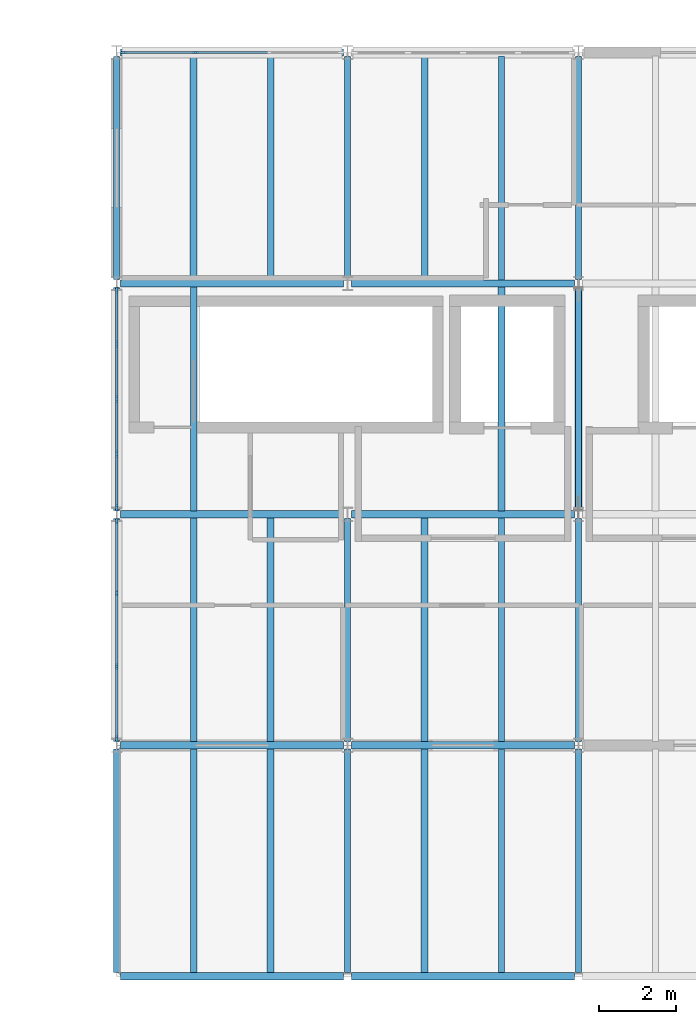
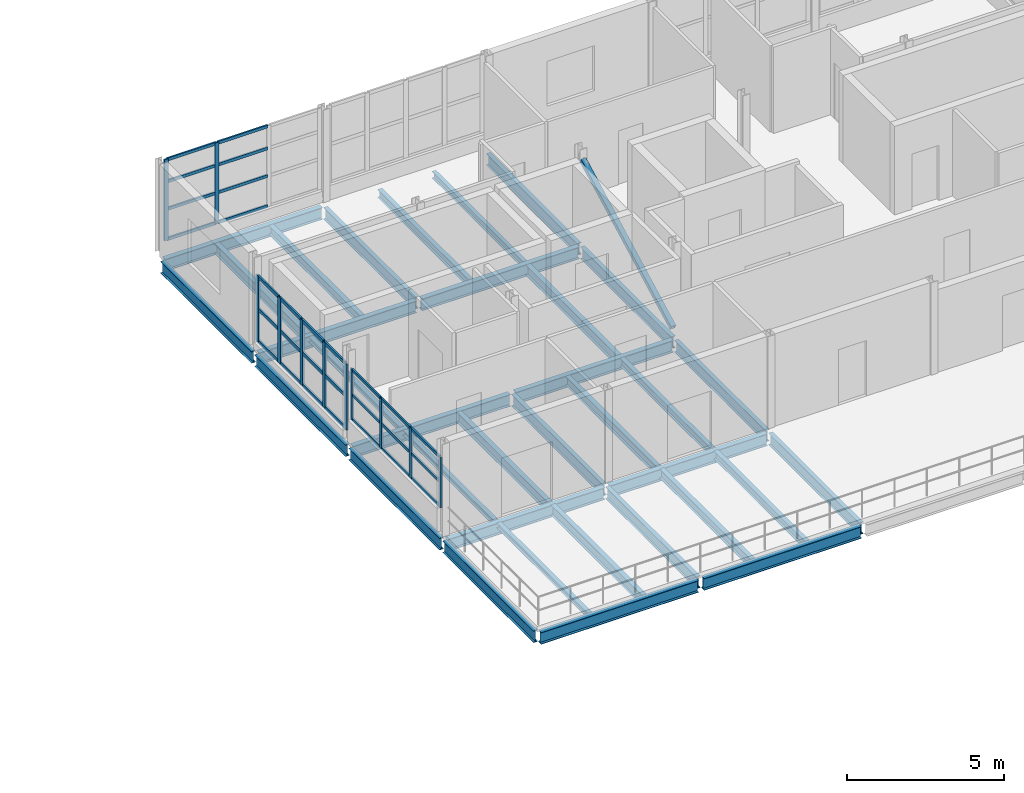
# One storey, part 6 of 20: 41 members, 34 beams, 3 elements without a shape of their own.
"""IFC4 building model written with IfcOpenShell, lengths in metres."""

from ifc_helpers import new_model, si_unit, direction, frame, origin, origin_2d, place, context, subcontext, project, spatial, rectangle, hollow_rectangle, i_section, extrude, material, material_profile, profile_set, type_object, element, aggregate, save


model = new_model("IFC4")

# Units and contexts
model_context = context("Model", 3, precision=1e-05, world=origin(), true_north=direction((0.0, 1.0)))
body_context = subcontext(model_context, "Body", "Model", "MODEL_VIEW")
ifc_project = project(units=[si_unit("LENGTHUNIT", "METRE"), si_unit("AREAUNIT", "SQUARE_METRE"), si_unit("VOLUMEUNIT", "CUBIC_METRE"), si_unit("PLANEANGLEUNIT", "RADIAN"), si_unit("MASSUNIT", "GRAM", prefix="KILO")], contexts=[model_context])

# Site, building, storey
site_placement = place(None, origin())
site = spatial("IfcSite", under=ifc_project, at=site_placement, CompositionType="ELEMENT")
building_placement = place(site_placement, origin())
building = spatial("IfcBuilding", under=site, at=building_placement, Name="Siltcreek Boulevard Central Fire Station", CompositionType="ELEMENT")
storey_placement = place(building_placement, frame((0.0, 0.0, 18.0)))
storey = spatial("IfcBuildingStorey", under=building, at=storey_placement, Name="L05", CompositionType="ELEMENT", Elevation=18.0)

# Beams
ifc_material_1 = material(Name="Structural steel ASTM A992 Gr50", Category="steel")
ifc_material_profile_1 = material_profile(ifc_material_1, i_section(OverallWidth=0.154052734375, OverallDepth=0.458984375, WebThickness=0.009033203125, FlangeThickness=0.015380859375, at=origin_2d()), Name="W460X68")
ifc_profile_set_1 = profile_set([ifc_material_profile_1], Name="Structural steel ASTM A992 Gr50")
beam_type_1 = type_object("IfcBeamType", Name="BM_W460X68", PredefinedType="BEAM", material=ifc_profile_set_1)
for number, where, z_axis, x_axis, name in (
    (1, (124.199951171875, 88.300048828125, -0.439453125), (0.0, 1.0, 0.0), (-1.0, 0.0, 0.0), "L05 primary steel girder GY-0641"),
    (2, (124.199951171875, 94.300048828125, -0.469482421875), (0.0, 1.0, 0.0), (-1.0, 0.0, 0.0), "L05 primary steel girder GY-0642"),
    (3, (124.199951171875, 100.300048828125, -0.469482421875), (0.0, 1.0, 0.0), (-1.0, 0.0, 0.0), "L05 primary steel girder GY-0643"),
    (4, (124.199951171875, 106.300048828125, -0.469482421875), (0.0, 1.0, 0.0), (-1.0, 0.0, 0.0), "L05 primary steel girder GY-0644"),
    (5, (130.199951171875, 88.300048828125, -0.439453125), (0.0, 1.0, 0.0), (-1.0, 0.0, 0.0), "L05 primary steel girder GY-0645"),
    (6, (130.199951171875, 94.300048828125, -0.469482421875), (0.0, 1.0, 0.0), (-1.0, 0.0, 0.0), "L05 primary steel girder GY-0646"),
    (7, (130.199951171875, 106.300048828125, -0.469482421875), (0.0, 1.0, 0.0), (-1.0, 0.0, 0.0), "L05 primary steel girder GY-0647"),
    (8, (136.199951171875, 88.300048828125, -0.439453125), (0.0, 1.0, 0.0), (-1.0, 0.0, 0.0), "L05 primary steel girder GY-0648"),
    (9, (136.199951171875, 94.300048828125, -0.469482421875), (0.0, 1.0, 0.0), (-1.0, 0.0, 0.0), "L05 primary steel girder GY-0649"),
    (10, (136.199951171875, 100.300048828125, -0.469482421875), (0.0, 1.0, 0.0), (-1.0, 0.0, 0.0), "L05 primary steel girder GY-0650"),
    (11, (136.199951171875, 106.300048828125, -0.469482421875), (0.0, 1.0, 0.0), (-1.0, 0.0, 0.0), "L05 primary steel girder GY-0651"),
):
    element("IfcBeam", number, at=place(storey_placement, frame(where, z_axis=z_axis, x_axis=x_axis)), inside=storey, type_object=beam_type_1, Name=name, PredefinedType="BEAM", context=body_context, shape_type="SweptSolid", body=[
        extrude(i_section(OverallWidth=0.154052734375, OverallDepth=0.458984375, WebThickness=0.009033203125, FlangeThickness=0.015380859375, at=origin_2d()), origin(), (0.0, 0.0, 1.0), 5.800048828125),
    ])
ifc_material_profile_2 = material_profile(ifc_material_1, i_section(OverallWidth=0.19189453125, OverallDepth=0.462890625, WebThickness=0.010498046875, FlangeThickness=0.017578125, at=origin_2d()), Name="W460X89")
ifc_profile_set_2 = profile_set([ifc_material_profile_2], Name="Structural steel ASTM A992 Gr50")
beam_type_2 = type_object("IfcBeamType", Name="BM_W460X89", PredefinedType="BEAM", material=ifc_profile_set_2)
for number, where, z_axis, x_axis, name in (
    (12, (124.300048828125, 88.199951171875, -0.44140625), (1.0, 0.0, 0.0), (0.0, 1.0, 0.0), "L05 primary steel girder GX-0616"),
    (13, (130.300048828125, 88.199951171875, -0.44140625), (1.0, 0.0, 0.0), (0.0, 1.0, 0.0), "L05 primary steel girder GX-0617"),
    (14, (124.300048828125, 94.199951171875, -0.471435546875), (1.0, 0.0, 0.0), (0.0, 1.0, 0.0), "L05 primary steel girder GX-0621"),
    (15, (130.300048828125, 94.199951171875, -0.471435546875), (1.0, 0.0, 0.0), (0.0, 1.0, 0.0), "L05 primary steel girder GX-0622"),
    (16, (124.300048828125, 100.199951171875, -0.471435546875), (1.0, 0.0, 0.0), (0.0, 1.0, 0.0), "L05 primary steel girder GX-0626"),
    (17, (130.300048828125, 100.199951171875, -0.471435546875), (1.0, 0.0, 0.0), (0.0, 1.0, 0.0), "L05 primary steel girder GX-0627"),
    (18, (124.300048828125, 106.199951171875, -0.471435546875), (1.0, 0.0, 0.0), (0.0, 1.0, 0.0), "L05 primary steel girder GX-0631"),
    (19, (130.300048828125, 106.199951171875, -0.471435546875), (1.0, 0.0, 0.0), (0.0, 1.0, 0.0), "L05 primary steel girder GX-0632"),
    (20, (124.300048828125, 112.199951171875, -0.471435546875), (1.0, 0.0, 0.0), (0.0, 1.0, 0.0), "L05 primary steel girder GX-0636"),
):
    element("IfcBeam", number, at=place(storey_placement, frame(where, z_axis=z_axis, x_axis=x_axis)), inside=storey, type_object=beam_type_2, Name=name, PredefinedType="BEAM", context=body_context, shape_type="SweptSolid", body=[
        extrude(i_section(OverallWidth=0.19189453125, OverallDepth=0.462890625, WebThickness=0.010498046875, FlangeThickness=0.017578125, at=origin_2d()), origin(), (0.0, 0.0, 1.0), 5.800048828125),
    ])

# Member
ifc_material_2 = material(Name="Structural steel ASTM A500 GrC", Category="steel")
ifc_material_profile_3 = material_profile(ifc_material_2, hollow_rectangle(XDim=0.179931640625, YDim=0.179931640625, WallThickness=0.008056640625, at=origin_2d()), Name="HSS180X180X8.0")
ifc_profile_set_3 = profile_set([ifc_material_profile_3], Name="Structural steel ASTM A500 GrC")
member_type_1 = type_object("IfcMemberType", Name="BR_HSS180", PredefinedType="BRACE", material=ifc_profile_set_3)
member_1_placement = place(storey_placement, frame((136.199951171875, 100.320068359375, 0.10009765625), z_axis=(0.0, 0.883763313865, 0.467934188819), x_axis=(-1.0, 0.0, 0.0)))
element("IfcMember", 21, at=member_1_placement, inside=storey, type_object=member_type_1, Name="L05 buckling-restrained brace BR-036", PredefinedType="BRACE", context=body_context, shape_type="SweptSolid", body=[
    extrude(hollow_rectangle(XDim=0.179931640625, YDim=0.179931640625, WallThickness=0.008056640625, at=origin_2d()), origin(), (0.0, 0.0, 1.0), 6.517578125),
])

# Curtain wall, members
ifc_material_3 = material(Name="Anodized aluminum and low-E insulated glazing", Category="aluminium")
curtain_wall_type_1 = type_object("IfcCurtainWallType", Name="CW_SYS_26", PredefinedType="USERDEFINED", material=ifc_material_3)
curtain_wall_1_placement = place(storey_placement, origin())
curtain_wall_1 = element("IfcCurtainWall", 22, at=curtain_wall_1_placement, inside=storey, type_object=curtain_wall_type_1, Name="L05 V5 unitised curtain wall CW-175", ObjectType="CURTAIN WALL", PredefinedType="USERDEFINED")
ifc_material_4 = material(Name="Anodized 6063-T6 aluminum framing", Category="aluminium")
ifc_material_profile_4 = material_profile(ifc_material_4, rectangle(XDim=0.06005859375, YDim=0.14990234375, at=origin_2d()), Name="MULL60X150")
ifc_profile_set_4 = profile_set([ifc_material_profile_4], Name="Anodized 6063-T6 aluminum framing")
member_type_2 = type_object("IfcMemberType", Name="CWM_60X150", PredefinedType="MULLION", material=ifc_profile_set_4)
member_2_placement = place(storey_placement, frame((126.248291015625, 112.199951171875, 0.43994140625), z_axis=(0.0, 0.0, 1.0), x_axis=(0.0, -1.0, 0.0)))
member_2 = element("IfcMember", 23, at=member_2_placement, type_object=member_type_2, Name="CW-175 mullion 3", PredefinedType="MULLION", context=body_context, shape_type="SweptSolid", body=[
    extrude(rectangle(XDim=0.06005859375, YDim=0.14990234375, at=origin_2d()), origin(), (0.0, 0.0, 1.0), 3.16015625),
])
member_3_placement = place(storey_placement, frame((124.375, 112.199951171875, 0.43994140625), z_axis=(0.0, 0.0, 1.0), x_axis=(0.0, -1.0, 0.0)))
member_3 = element("IfcMember", 24, at=member_3_placement, type_object=member_type_2, Name="CW-175 mullion 4", PredefinedType="MULLION", context=body_context, shape_type="SweptSolid", body=[
    extrude(rectangle(XDim=0.06005859375, YDim=0.14990234375, at=origin_2d()), origin(), (0.0, 0.0, 1.0), 3.16015625),
])

curtain_wall_type_2 = type_object("IfcCurtainWallType", Name="CW_SYS_30", PredefinedType="USERDEFINED", material=ifc_material_3)
curtain_wall_2_placement = place(storey_placement, origin())
curtain_wall_2 = element("IfcCurtainWall", 25, at=curtain_wall_2_placement, inside=storey, type_object=curtain_wall_type_2, Name="L05 V5 unitised curtain wall CW-179", ObjectType="CURTAIN WALL", PredefinedType="USERDEFINED")
member_4_placement = place(storey_placement, frame((124.199951171875, 100.02490234375, 0.919921875), z_axis=(0.0, 0.0, 1.0), x_axis=(1.0, 0.0, 0.0)))
member_4 = element("IfcMember", 26, at=member_4_placement, type_object=member_type_2, Name="CW-179 mullion 1", PredefinedType="MULLION", context=body_context, shape_type="SweptSolid", body=[
    extrude(rectangle(XDim=0.06005859375, YDim=0.14990234375, at=origin_2d()), origin(), (0.0, 0.0, 1.0), 1.958984375),
])
member_5_placement = place(storey_placement, frame((124.199951171875, 98.151611328125, 0.919921875), z_axis=(0.0, 0.0, 1.0), x_axis=(1.0, 0.0, 0.0)))
member_5 = element("IfcMember", 27, at=member_5_placement, type_object=member_type_2, Name="CW-179 mullion 2", PredefinedType="MULLION", context=body_context, shape_type="SweptSolid", body=[
    extrude(rectangle(XDim=0.06005859375, YDim=0.14990234375, at=origin_2d()), origin(), (0.0, 0.0, 1.0), 1.958984375),
])
member_6_placement = place(storey_placement, frame((124.199951171875, 96.248291015625, 0.919921875), z_axis=(0.0, 0.0, 1.0), x_axis=(1.0, 0.0, 0.0)))
member_6 = element("IfcMember", 28, at=member_6_placement, type_object=member_type_2, Name="CW-179 mullion 3", PredefinedType="MULLION", context=body_context, shape_type="SweptSolid", body=[
    extrude(rectangle(XDim=0.06005859375, YDim=0.14990234375, at=origin_2d()), origin(), (0.0, 0.0, 1.0), 1.958984375),
])
member_7_placement = place(storey_placement, frame((124.199951171875, 94.375, 0.919921875), z_axis=(0.0, 0.0, 1.0), x_axis=(1.0, 0.0, 0.0)))
member_7 = element("IfcMember", 29, at=member_7_placement, type_object=member_type_2, Name="CW-179 mullion 4", PredefinedType="MULLION", context=body_context, shape_type="SweptSolid", body=[
    extrude(rectangle(XDim=0.06005859375, YDim=0.14990234375, at=origin_2d()), origin(), (0.0, 0.0, 1.0), 1.958984375),
])

curtain_wall_type_3 = type_object("IfcCurtainWallType", Name="CW_SYS_01", PredefinedType="USERDEFINED", material=ifc_material_3)
curtain_wall_3_placement = place(storey_placement, origin())
curtain_wall_3 = element("IfcCurtainWall", 30, at=curtain_wall_3_placement, inside=storey, type_object=curtain_wall_type_3, Name="L05 V5 unitised curtain wall CW-180", ObjectType="CURTAIN WALL", PredefinedType="USERDEFINED")
ifc_material_profile_5 = material_profile(ifc_material_4, rectangle(XDim=0.06494140625, YDim=0.175048828125, at=origin_2d()), Name="MULL65X175")
ifc_profile_set_5 = profile_set([ifc_material_profile_5], Name="Anodized 6063-T6 aluminum framing")
member_type_3 = type_object("IfcMemberType", Name="CWM_65X175", PredefinedType="MULLION", material=ifc_profile_set_5)
member_8_placement = place(storey_placement, frame((124.199951171875, 106.0224609375, 0.320068359375), z_axis=(0.0, 0.0, 1.0), x_axis=(1.0, 0.0, 0.0)))
member_8 = element("IfcMember", 31, at=member_8_placement, type_object=member_type_3, Name="CW-180 mullion 1", PredefinedType="MULLION", context=body_context, shape_type="SweptSolid", body=[
    extrude(rectangle(XDim=0.06494140625, YDim=0.175048828125, at=origin_2d()), origin(), (0.0, 0.0, 1.0), 2.558837890625),
])
member_9_placement = place(storey_placement, frame((124.199951171875, 104.62744140625, 0.320068359375), z_axis=(0.0, 0.0, 1.0), x_axis=(1.0, 0.0, 0.0)))
member_9 = element("IfcMember", 32, at=member_9_placement, type_object=member_type_3, Name="CW-180 mullion 2", PredefinedType="MULLION", context=body_context, shape_type="SweptSolid", body=[
    extrude(rectangle(XDim=0.06494140625, YDim=0.175048828125, at=origin_2d()), origin(), (0.0, 0.0, 1.0), 2.558837890625),
])
member_10_placement = place(storey_placement, frame((124.199951171875, 103.199951171875, 0.320068359375), z_axis=(0.0, 0.0, 1.0), x_axis=(1.0, 0.0, 0.0)))
member_10 = element("IfcMember", 33, at=member_10_placement, type_object=member_type_3, Name="CW-180 mullion 3", PredefinedType="MULLION", context=body_context, shape_type="SweptSolid", body=[
    extrude(rectangle(XDim=0.06494140625, YDim=0.175048828125, at=origin_2d()), origin(), (0.0, 0.0, 1.0), 2.558837890625),
])
member_11_placement = place(storey_placement, frame((124.199951171875, 101.7724609375, 0.320068359375), z_axis=(0.0, 0.0, 1.0), x_axis=(1.0, 0.0, 0.0)))
member_11 = element("IfcMember", 34, at=member_11_placement, type_object=member_type_3, Name="CW-180 mullion 4", PredefinedType="MULLION", context=body_context, shape_type="SweptSolid", body=[
    extrude(rectangle(XDim=0.06494140625, YDim=0.175048828125, at=origin_2d()), origin(), (0.0, 0.0, 1.0), 2.558837890625),
])
member_12_placement = place(storey_placement, frame((124.199951171875, 100.37744140625, 0.320068359375), z_axis=(0.0, 0.0, 1.0), x_axis=(1.0, 0.0, 0.0)))
member_12 = element("IfcMember", 35, at=member_12_placement, type_object=member_type_3, Name="CW-180 mullion 5", PredefinedType="MULLION", context=body_context, shape_type="SweptSolid", body=[
    extrude(rectangle(XDim=0.06494140625, YDim=0.175048828125, at=origin_2d()), origin(), (0.0, 0.0, 1.0), 2.558837890625),
])

# Member
ifc_material_profile_6 = material_profile(ifc_material_4, rectangle(XDim=0.06005859375, YDim=0.114990234375, at=origin_2d()), Name="TRAN60X115")
ifc_profile_set_6 = profile_set([ifc_material_profile_6], Name="Anodized 6063-T6 aluminum framing")
member_type_4 = type_object("IfcMemberType", Name="CWT_60X115", PredefinedType="USERDEFINED", material=ifc_profile_set_6)
member_13_placement = place(storey_placement, frame((128.12158203125, 112.199951171875, 0.469970703125), z_axis=(-1.0, 0.0, 0.0), x_axis=(0.0, -1.0, 0.0)))
member_13 = element("IfcMember", 36, at=member_13_placement, type_object=member_type_4, Name="CW-175 transom 2.1", ObjectType="TRANSOM", PredefinedType="USERDEFINED", context=body_context, shape_type="SweptSolid", body=[
    extrude(rectangle(XDim=0.06005859375, YDim=0.114990234375, at=origin_2d()), origin(), (0.0, 0.0, 1.0), 1.84326171875),
])

member_14_placement = place(storey_placement, frame((128.12158203125, 112.199951171875, 1.640869140625), z_axis=(-1.0, 0.0, 0.0), x_axis=(0.0, -1.0, 0.0)))
member_14 = element("IfcMember", 37, at=member_14_placement, type_object=member_type_4, Name="CW-175 transom 2.2", ObjectType="TRANSOM", PredefinedType="USERDEFINED", context=body_context, shape_type="SweptSolid", body=[
    extrude(rectangle(XDim=0.06005859375, YDim=0.114990234375, at=origin_2d()), origin(), (0.0, 0.0, 1.0), 1.84326171875),
])

member_15_placement = place(storey_placement, frame((128.12158203125, 112.199951171875, 2.715087890625), z_axis=(-1.0, 0.0, 0.0), x_axis=(0.0, -1.0, 0.0)))
member_15 = element("IfcMember", 38, at=member_15_placement, type_object=member_type_4, Name="CW-175 transom 2.3", ObjectType="TRANSOM", PredefinedType="USERDEFINED", context=body_context, shape_type="SweptSolid", body=[
    extrude(rectangle(XDim=0.06005859375, YDim=0.114990234375, at=origin_2d()), origin(), (0.0, 0.0, 1.0), 1.84326171875),
])

member_16_placement = place(storey_placement, frame((128.12158203125, 112.199951171875, 3.570068359375), z_axis=(-1.0, 0.0, 0.0), x_axis=(0.0, -1.0, 0.0)))
member_16 = element("IfcMember", 39, at=member_16_placement, type_object=member_type_4, Name="CW-175 transom 2.4", ObjectType="TRANSOM", PredefinedType="USERDEFINED", context=body_context, shape_type="SweptSolid", body=[
    extrude(rectangle(XDim=0.06005859375, YDim=0.114990234375, at=origin_2d()), origin(), (0.0, 0.0, 1.0), 1.84326171875),
])

member_17_placement = place(storey_placement, frame((126.21826171875, 112.199951171875, 0.469970703125), z_axis=(-1.0, 0.0, 0.0), x_axis=(0.0, -1.0, 0.0)))
member_17 = element("IfcMember", 40, at=member_17_placement, type_object=member_type_4, Name="CW-175 transom 3.1", ObjectType="TRANSOM", PredefinedType="USERDEFINED", context=body_context, shape_type="SweptSolid", body=[
    extrude(rectangle(XDim=0.06005859375, YDim=0.114990234375, at=origin_2d()), origin(), (0.0, 0.0, 1.0), 1.813232421875),
])

member_18_placement = place(storey_placement, frame((126.21826171875, 112.199951171875, 1.640869140625), z_axis=(-1.0, 0.0, 0.0), x_axis=(0.0, -1.0, 0.0)))
member_18 = element("IfcMember", 41, at=member_18_placement, type_object=member_type_4, Name="CW-175 transom 3.2", ObjectType="TRANSOM", PredefinedType="USERDEFINED", context=body_context, shape_type="SweptSolid", body=[
    extrude(rectangle(XDim=0.06005859375, YDim=0.114990234375, at=origin_2d()), origin(), (0.0, 0.0, 1.0), 1.813232421875),
])

member_19_placement = place(storey_placement, frame((126.21826171875, 112.199951171875, 2.715087890625), z_axis=(-1.0, 0.0, 0.0), x_axis=(0.0, -1.0, 0.0)))
member_19 = element("IfcMember", 42, at=member_19_placement, type_object=member_type_4, Name="CW-175 transom 3.3", ObjectType="TRANSOM", PredefinedType="USERDEFINED", context=body_context, shape_type="SweptSolid", body=[
    extrude(rectangle(XDim=0.06005859375, YDim=0.114990234375, at=origin_2d()), origin(), (0.0, 0.0, 1.0), 1.813232421875),
])

member_20_placement = place(storey_placement, frame((126.21826171875, 112.199951171875, 3.570068359375), z_axis=(-1.0, 0.0, 0.0), x_axis=(0.0, -1.0, 0.0)))
member_20 = element("IfcMember", 43, at=member_20_placement, type_object=member_type_4, Name="CW-175 transom 3.4", ObjectType="TRANSOM", PredefinedType="USERDEFINED", context=body_context, shape_type="SweptSolid", body=[
    extrude(rectangle(XDim=0.06005859375, YDim=0.114990234375, at=origin_2d()), origin(), (0.0, 0.0, 1.0), 1.813232421875),
])

aggregate(curtain_wall_1, [member_2, member_3, member_13, member_14, member_15, member_16, member_17, member_18, member_19, member_20])

member_21_placement = place(storey_placement, frame((124.199951171875, 99.9951171875, 0.949951171875), z_axis=(0.0, -1.0, 0.0), x_axis=(1.0, 0.0, 0.0)))
member_21 = element("IfcMember", 44, at=member_21_placement, type_object=member_type_4, Name="CW-179 transom 1.1", ObjectType="TRANSOM", PredefinedType="USERDEFINED", context=body_context, shape_type="SweptSolid", body=[
    extrude(rectangle(XDim=0.06005859375, YDim=0.114990234375, at=origin_2d()), origin(), (0.0, 0.0, 1.0), 1.8134765625),
])

member_22_placement = place(storey_placement, frame((124.199951171875, 99.9951171875, 1.8994140625), z_axis=(0.0, -1.0, 0.0), x_axis=(1.0, 0.0, 0.0)))
member_22 = element("IfcMember", 45, at=member_22_placement, type_object=member_type_4, Name="CW-179 transom 1.2", ObjectType="TRANSOM", PredefinedType="USERDEFINED", context=body_context, shape_type="SweptSolid", body=[
    extrude(rectangle(XDim=0.06005859375, YDim=0.114990234375, at=origin_2d()), origin(), (0.0, 0.0, 1.0), 1.8134765625),
])

member_23_placement = place(storey_placement, frame((124.199951171875, 99.9951171875, 2.84912109375), z_axis=(0.0, -1.0, 0.0), x_axis=(1.0, 0.0, 0.0)))
member_23 = element("IfcMember", 46, at=member_23_placement, type_object=member_type_4, Name="CW-179 transom 1.3", ObjectType="TRANSOM", PredefinedType="USERDEFINED", context=body_context, shape_type="SweptSolid", body=[
    extrude(rectangle(XDim=0.06005859375, YDim=0.114990234375, at=origin_2d()), origin(), (0.0, 0.0, 1.0), 1.8134765625),
])

member_24_placement = place(storey_placement, frame((124.199951171875, 98.12158203125, 0.949951171875), z_axis=(0.0, -1.0, 0.0), x_axis=(1.0, 0.0, 0.0)))
member_24 = element("IfcMember", 47, at=member_24_placement, type_object=member_type_4, Name="CW-179 transom 2.1", ObjectType="TRANSOM", PredefinedType="USERDEFINED", context=body_context, shape_type="SweptSolid", body=[
    extrude(rectangle(XDim=0.06005859375, YDim=0.114990234375, at=origin_2d()), origin(), (0.0, 0.0, 1.0), 1.84326171875),
])

member_25_placement = place(storey_placement, frame((124.199951171875, 98.12158203125, 1.8994140625), z_axis=(0.0, -1.0, 0.0), x_axis=(1.0, 0.0, 0.0)))
member_25 = element("IfcMember", 48, at=member_25_placement, type_object=member_type_4, Name="CW-179 transom 2.2", ObjectType="TRANSOM", PredefinedType="USERDEFINED", context=body_context, shape_type="SweptSolid", body=[
    extrude(rectangle(XDim=0.06005859375, YDim=0.114990234375, at=origin_2d()), origin(), (0.0, 0.0, 1.0), 1.84326171875),
])

member_26_placement = place(storey_placement, frame((124.199951171875, 98.12158203125, 2.84912109375), z_axis=(0.0, -1.0, 0.0), x_axis=(1.0, 0.0, 0.0)))
member_26 = element("IfcMember", 49, at=member_26_placement, type_object=member_type_4, Name="CW-179 transom 2.3", ObjectType="TRANSOM", PredefinedType="USERDEFINED", context=body_context, shape_type="SweptSolid", body=[
    extrude(rectangle(XDim=0.06005859375, YDim=0.114990234375, at=origin_2d()), origin(), (0.0, 0.0, 1.0), 1.84326171875),
])

member_27_placement = place(storey_placement, frame((124.199951171875, 96.21826171875, 0.949951171875), z_axis=(0.0, -1.0, 0.0), x_axis=(1.0, 0.0, 0.0)))
member_27 = element("IfcMember", 50, at=member_27_placement, type_object=member_type_4, Name="CW-179 transom 3.1", ObjectType="TRANSOM", PredefinedType="USERDEFINED", context=body_context, shape_type="SweptSolid", body=[
    extrude(rectangle(XDim=0.06005859375, YDim=0.114990234375, at=origin_2d()), origin(), (0.0, 0.0, 1.0), 1.813232421875),
])

member_28_placement = place(storey_placement, frame((124.199951171875, 96.21826171875, 1.8994140625), z_axis=(0.0, -1.0, 0.0), x_axis=(1.0, 0.0, 0.0)))
member_28 = element("IfcMember", 51, at=member_28_placement, type_object=member_type_4, Name="CW-179 transom 3.2", ObjectType="TRANSOM", PredefinedType="USERDEFINED", context=body_context, shape_type="SweptSolid", body=[
    extrude(rectangle(XDim=0.06005859375, YDim=0.114990234375, at=origin_2d()), origin(), (0.0, 0.0, 1.0), 1.813232421875),
])

member_29_placement = place(storey_placement, frame((124.199951171875, 96.21826171875, 2.84912109375), z_axis=(0.0, -1.0, 0.0), x_axis=(1.0, 0.0, 0.0)))
member_29 = element("IfcMember", 52, at=member_29_placement, type_object=member_type_4, Name="CW-179 transom 3.3", ObjectType="TRANSOM", PredefinedType="USERDEFINED", context=body_context, shape_type="SweptSolid", body=[
    extrude(rectangle(XDim=0.06005859375, YDim=0.114990234375, at=origin_2d()), origin(), (0.0, 0.0, 1.0), 1.813232421875),
])

aggregate(curtain_wall_2, [member_4, member_5, member_6, member_7, member_21, member_22, member_23, member_24, member_25, member_26, member_27, member_28, member_29])

ifc_material_profile_7 = material_profile(ifc_material_4, rectangle(XDim=0.06494140625, YDim=0.135009765625, at=origin_2d()), Name="TRAN65X135")
ifc_profile_set_7 = profile_set([ifc_material_profile_7], Name="Anodized 6063-T6 aluminum framing")
member_type_5 = type_object("IfcMemberType", Name="CWT_65X135", PredefinedType="USERDEFINED", material=ifc_profile_set_7)
member_30_placement = place(storey_placement, frame((124.199951171875, 105.989990234375, 0.3525390625), z_axis=(0.0, -1.0, 0.0), x_axis=(1.0, 0.0, 0.0)))
member_30 = element("IfcMember", 53, at=member_30_placement, type_object=member_type_5, Name="CW-180 transom 1.1", ObjectType="TRANSOM", PredefinedType="USERDEFINED", context=body_context, shape_type="SweptSolid", body=[
    extrude(rectangle(XDim=0.06494140625, YDim=0.135009765625, at=origin_2d()), origin(), (0.0, 0.0, 1.0), 1.330078125),
])

member_31_placement = place(storey_placement, frame((124.199951171875, 105.989990234375, 1.599609375), z_axis=(0.0, -1.0, 0.0), x_axis=(1.0, 0.0, 0.0)))
member_31 = element("IfcMember", 54, at=member_31_placement, type_object=member_type_5, Name="CW-180 transom 1.2", ObjectType="TRANSOM", PredefinedType="USERDEFINED", context=body_context, shape_type="SweptSolid", body=[
    extrude(rectangle(XDim=0.06494140625, YDim=0.135009765625, at=origin_2d()), origin(), (0.0, 0.0, 1.0), 1.330078125),
])

member_32_placement = place(storey_placement, frame((124.199951171875, 105.989990234375, 2.846435546875), z_axis=(0.0, -1.0, 0.0), x_axis=(1.0, 0.0, 0.0)))
member_32 = element("IfcMember", 55, at=member_32_placement, type_object=member_type_5, Name="CW-180 transom 1.3", ObjectType="TRANSOM", PredefinedType="USERDEFINED", context=body_context, shape_type="SweptSolid", body=[
    extrude(rectangle(XDim=0.06494140625, YDim=0.135009765625, at=origin_2d()), origin(), (0.0, 0.0, 1.0), 1.330078125),
])

member_33_placement = place(storey_placement, frame((124.199951171875, 104.594970703125, 0.3525390625), z_axis=(0.0, -1.0, 0.0), x_axis=(1.0, 0.0, 0.0)))
member_33 = element("IfcMember", 56, at=member_33_placement, type_object=member_type_5, Name="CW-180 transom 2.1", ObjectType="TRANSOM", PredefinedType="USERDEFINED", context=body_context, shape_type="SweptSolid", body=[
    extrude(rectangle(XDim=0.06494140625, YDim=0.135009765625, at=origin_2d()), origin(), (0.0, 0.0, 1.0), 1.362548828125),
])

member_34_placement = place(storey_placement, frame((124.199951171875, 104.594970703125, 1.599609375), z_axis=(0.0, -1.0, 0.0), x_axis=(1.0, 0.0, 0.0)))
member_34 = element("IfcMember", 57, at=member_34_placement, type_object=member_type_5, Name="CW-180 transom 2.2", ObjectType="TRANSOM", PredefinedType="USERDEFINED", context=body_context, shape_type="SweptSolid", body=[
    extrude(rectangle(XDim=0.06494140625, YDim=0.135009765625, at=origin_2d()), origin(), (0.0, 0.0, 1.0), 1.362548828125),
])

member_35_placement = place(storey_placement, frame((124.199951171875, 104.594970703125, 2.846435546875), z_axis=(0.0, -1.0, 0.0), x_axis=(1.0, 0.0, 0.0)))
member_35 = element("IfcMember", 58, at=member_35_placement, type_object=member_type_5, Name="CW-180 transom 2.3", ObjectType="TRANSOM", PredefinedType="USERDEFINED", context=body_context, shape_type="SweptSolid", body=[
    extrude(rectangle(XDim=0.06494140625, YDim=0.135009765625, at=origin_2d()), origin(), (0.0, 0.0, 1.0), 1.362548828125),
])

member_36_placement = place(storey_placement, frame((124.199951171875, 103.16748046875, 0.3525390625), z_axis=(0.0, -1.0, 0.0), x_axis=(1.0, 0.0, 0.0)))
member_36 = element("IfcMember", 59, at=member_36_placement, type_object=member_type_5, Name="CW-180 transom 3.1", ObjectType="TRANSOM", PredefinedType="USERDEFINED", context=body_context, shape_type="SweptSolid", body=[
    extrude(rectangle(XDim=0.06494140625, YDim=0.135009765625, at=origin_2d()), origin(), (0.0, 0.0, 1.0), 1.362548828125),
])

member_37_placement = place(storey_placement, frame((124.199951171875, 103.16748046875, 1.599609375), z_axis=(0.0, -1.0, 0.0), x_axis=(1.0, 0.0, 0.0)))
member_37 = element("IfcMember", 60, at=member_37_placement, type_object=member_type_5, Name="CW-180 transom 3.2", ObjectType="TRANSOM", PredefinedType="USERDEFINED", context=body_context, shape_type="SweptSolid", body=[
    extrude(rectangle(XDim=0.06494140625, YDim=0.135009765625, at=origin_2d()), origin(), (0.0, 0.0, 1.0), 1.362548828125),
])

member_38_placement = place(storey_placement, frame((124.199951171875, 103.16748046875, 2.846435546875), z_axis=(0.0, -1.0, 0.0), x_axis=(1.0, 0.0, 0.0)))
member_38 = element("IfcMember", 61, at=member_38_placement, type_object=member_type_5, Name="CW-180 transom 3.3", ObjectType="TRANSOM", PredefinedType="USERDEFINED", context=body_context, shape_type="SweptSolid", body=[
    extrude(rectangle(XDim=0.06494140625, YDim=0.135009765625, at=origin_2d()), origin(), (0.0, 0.0, 1.0), 1.362548828125),
])

member_39_placement = place(storey_placement, frame((124.199951171875, 101.739990234375, 0.3525390625), z_axis=(0.0, -1.0, 0.0), x_axis=(1.0, 0.0, 0.0)))
member_39 = element("IfcMember", 62, at=member_39_placement, type_object=member_type_5, Name="CW-180 transom 4.1", ObjectType="TRANSOM", PredefinedType="USERDEFINED", context=body_context, shape_type="SweptSolid", body=[
    extrude(rectangle(XDim=0.06494140625, YDim=0.135009765625, at=origin_2d()), origin(), (0.0, 0.0, 1.0), 1.330078125),
])

member_40_placement = place(storey_placement, frame((124.199951171875, 101.739990234375, 1.599609375), z_axis=(0.0, -1.0, 0.0), x_axis=(1.0, 0.0, 0.0)))
member_40 = element("IfcMember", 63, at=member_40_placement, type_object=member_type_5, Name="CW-180 transom 4.2", ObjectType="TRANSOM", PredefinedType="USERDEFINED", context=body_context, shape_type="SweptSolid", body=[
    extrude(rectangle(XDim=0.06494140625, YDim=0.135009765625, at=origin_2d()), origin(), (0.0, 0.0, 1.0), 1.330078125),
])

member_41_placement = place(storey_placement, frame((124.199951171875, 101.739990234375, 2.846435546875), z_axis=(0.0, -1.0, 0.0), x_axis=(1.0, 0.0, 0.0)))
member_41 = element("IfcMember", 64, at=member_41_placement, type_object=member_type_5, Name="CW-180 transom 4.3", ObjectType="TRANSOM", PredefinedType="USERDEFINED", context=body_context, shape_type="SweptSolid", body=[
    extrude(rectangle(XDim=0.06494140625, YDim=0.135009765625, at=origin_2d()), origin(), (0.0, 0.0, 1.0), 1.330078125),
])

aggregate(curtain_wall_3, [member_8, member_9, member_10, member_11, member_12, member_30, member_31, member_32, member_33, member_34, member_35, member_36, member_37, member_38, member_39, member_40, member_41])

# Beams
ifc_material_profile_8 = material_profile(ifc_material_1, i_section(OverallWidth=0.1650390625, OverallDepth=0.200927734375, WebThickness=0.006103515625, FlangeThickness=0.01025390625, at=origin_2d()), Name="W200X36")
ifc_profile_set_8 = profile_set([ifc_material_profile_8], Name="Structural steel ASTM A992 Gr50")
beam_type_3 = type_object("IfcBeamType", Name="JST_W200X36", PredefinedType="JOIST", material=ifc_profile_set_8)
for number, where, z_axis, x_axis, name in (
    (65, (126.199951171875, 88.2939453125, -0.310546875), (0.0, 1.0, 0.0), (-1.0, 0.0, 0.0), "L05 secondary steel floor joist 0519"),
    (66, (126.199951171875, 94.2939453125, -0.340576171875), (0.0, 1.0, 0.0), (-1.0, 0.0, 0.0), "L05 secondary steel floor joist 0529"),
    (67, (126.199951171875, 100.2939453125, -0.340576171875), (0.0, 1.0, 0.0), (-1.0, 0.0, 0.0), "L05 secondary steel floor joist 0539"),
):
    element("IfcBeam", number, at=place(storey_placement, frame(where, z_axis=z_axis, x_axis=x_axis)), inside=storey, type_object=beam_type_3, Name=name, PredefinedType="JOIST", context=body_context, shape_type="SweptSolid", body=[
        extrude(i_section(OverallWidth=0.1650390625, OverallDepth=0.200927734375, WebThickness=0.006103515625, FlangeThickness=0.01025390625, at=origin_2d()), origin(), (0.0, 0.0, 1.0), 5.81201171875),
    ])
ifc_material_profile_9 = material_profile(ifc_material_1, i_section(OverallWidth=0.14697265625, OverallDepth=0.261962890625, WebThickness=0.006591796875, FlangeThickness=0.01123046875, at=origin_2d()), Name="W250X39")
ifc_profile_set_9 = profile_set([ifc_material_profile_9], Name="Structural steel ASTM A992 Gr50")
beam_type_4 = type_object("IfcBeamType", Name="JST_W250X39", PredefinedType="JOIST", material=ifc_profile_set_9)
beam_placement = place(storey_placement, frame((134.199951171875, 106.2939453125, -0.37109375), z_axis=(0.0, 1.0, 0.0), x_axis=(-1.0, 0.0, 0.0)))
element("IfcBeam", 68, at=beam_placement, inside=storey, type_object=beam_type_4, Name="L05 secondary steel floor joist 0548", PredefinedType="JOIST", context=body_context, shape_type="SweptSolid", body=[
    extrude(i_section(OverallWidth=0.14697265625, OverallDepth=0.261962890625, WebThickness=0.006591796875, FlangeThickness=0.01123046875, at=origin_2d()), origin(), (0.0, 0.0, 1.0), 5.81201171875),
])
ifc_material_profile_10 = material_profile(ifc_material_1, i_section(OverallWidth=0.166015625, OverallDepth=0.31298828125, WebThickness=0.006591796875, FlangeThickness=0.01123046875, at=origin_2d()), Name="W310X45")
ifc_profile_set_10 = profile_set([ifc_material_profile_10], Name="Structural steel ASTM A992 Gr50")
beam_type_5 = type_object("IfcBeamType", Name="JST_W310X45", PredefinedType="JOIST", material=ifc_profile_set_10)
for number, where, z_axis, x_axis, name in (
    (69, (134.199951171875, 88.2939453125, -0.366455078125), (0.0, 1.0, 0.0), (-1.0, 0.0, 0.0), "L05 secondary steel floor joist 0522"),
    (70, (134.199951171875, 94.2939453125, -0.396484375), (0.0, 1.0, 0.0), (-1.0, 0.0, 0.0), "L05 secondary steel floor joist 0532"),
    (71, (132.199951171875, 106.2939453125, -0.396484375), (0.0, 1.0, 0.0), (-1.0, 0.0, 0.0), "L05 secondary steel floor joist 0547"),
):
    element("IfcBeam", number, at=place(storey_placement, frame(where, z_axis=z_axis, x_axis=x_axis)), inside=storey, type_object=beam_type_5, Name=name, PredefinedType="JOIST", context=body_context, shape_type="SweptSolid", body=[
        extrude(i_section(OverallWidth=0.166015625, OverallDepth=0.31298828125, WebThickness=0.006591796875, FlangeThickness=0.01123046875, at=origin_2d()), origin(), (0.0, 0.0, 1.0), 5.81201171875),
    ])
ifc_material_profile_11 = material_profile(ifc_material_1, i_section(OverallWidth=0.172119140625, OverallDepth=0.35791015625, WebThickness=0.0078125, FlangeThickness=0.01318359375, at=origin_2d()), Name="W360X57")
ifc_profile_set_11 = profile_set([ifc_material_profile_11], Name="Structural steel ASTM A992 Gr50")
beam_type_6 = type_object("IfcBeamType", Name="JST_W360X57", PredefinedType="JOIST", material=ifc_profile_set_11)
for number, where, z_axis, x_axis, name in (
    (72, (132.199951171875, 88.2939453125, -0.388916015625), (0.0, 1.0, 0.0), (-1.0, 0.0, 0.0), "L05 secondary steel floor joist 0521"),
    (73, (132.199951171875, 94.2939453125, -0.4189453125), (0.0, 1.0, 0.0), (-1.0, 0.0, 0.0), "L05 secondary steel floor joist 0531"),
    (74, (128.199951171875, 106.2939453125, -0.4189453125), (0.0, 1.0, 0.0), (-1.0, 0.0, 0.0), "L05 secondary steel floor joist 0546"),
):
    element("IfcBeam", number, at=place(storey_placement, frame(where, z_axis=z_axis, x_axis=x_axis)), inside=storey, type_object=beam_type_6, Name=name, PredefinedType="JOIST", context=body_context, shape_type="SweptSolid", body=[
        extrude(i_section(OverallWidth=0.172119140625, OverallDepth=0.35791015625, WebThickness=0.0078125, FlangeThickness=0.01318359375, at=origin_2d()), origin(), (0.0, 0.0, 1.0), 5.81201171875),
    ])
ifc_material_profile_12 = material_profile(ifc_material_1, i_section(OverallWidth=0.177001953125, OverallDepth=0.403076171875, WebThickness=0.007568359375, FlangeThickness=0.010986328125, at=origin_2d()), Name="W410X53")
ifc_profile_set_12 = profile_set([ifc_material_profile_12], Name="Structural steel ASTM A992 Gr50")
beam_type_7 = type_object("IfcBeamType", Name="JST_W410X53", PredefinedType="JOIST", material=ifc_profile_set_12)
for number, where, z_axis, x_axis, name in (
    (75, (128.199951171875, 88.2939453125, -0.41162109375), (0.0, 1.0, 0.0), (-1.0, 0.0, 0.0), "L05 secondary steel floor joist 0520"),
    (76, (128.199951171875, 94.2939453125, -0.44140625), (0.0, 1.0, 0.0), (-1.0, 0.0, 0.0), "L05 secondary steel floor joist 0530"),
    (77, (134.199951171875, 100.2939453125, -0.44140625), (0.0, 1.0, 0.0), (-1.0, 0.0, 0.0), "L05 secondary steel floor joist 0540"),
    (78, (126.199951171875, 106.2939453125, -0.44140625), (0.0, 1.0, 0.0), (-1.0, 0.0, 0.0), "L05 secondary steel floor joist 0545"),
):
    element("IfcBeam", number, at=place(storey_placement, frame(where, z_axis=z_axis, x_axis=x_axis)), inside=storey, type_object=beam_type_7, Name=name, PredefinedType="JOIST", context=body_context, shape_type="SweptSolid", body=[
        extrude(i_section(OverallWidth=0.177001953125, OverallDepth=0.403076171875, WebThickness=0.007568359375, FlangeThickness=0.010986328125, at=origin_2d()), origin(), (0.0, 0.0, 1.0), 5.81201171875),
    ])

save(model, "model.ifc")
